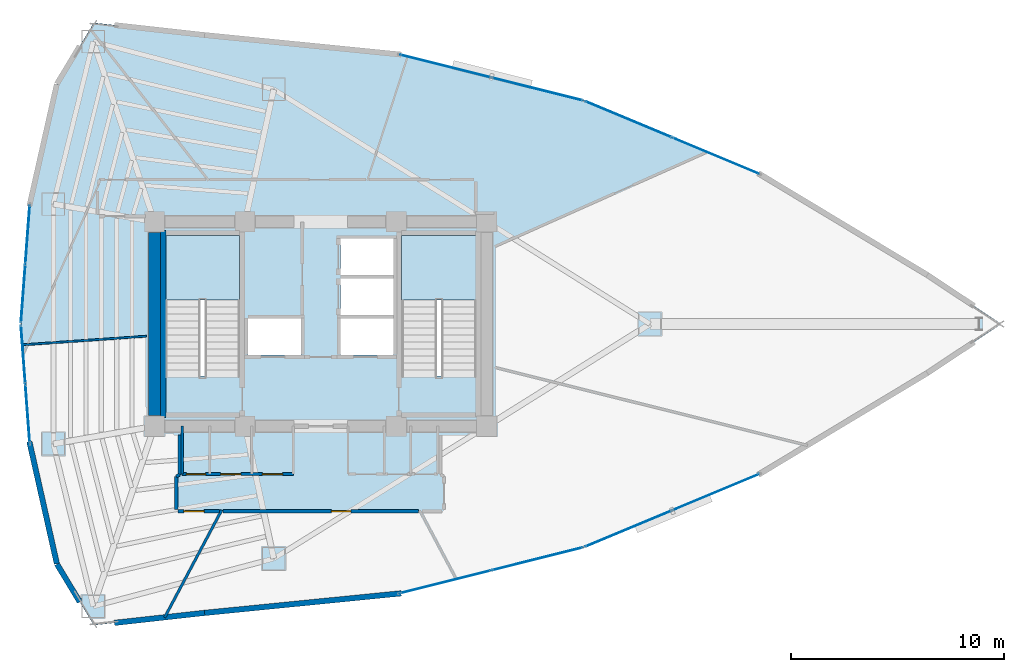
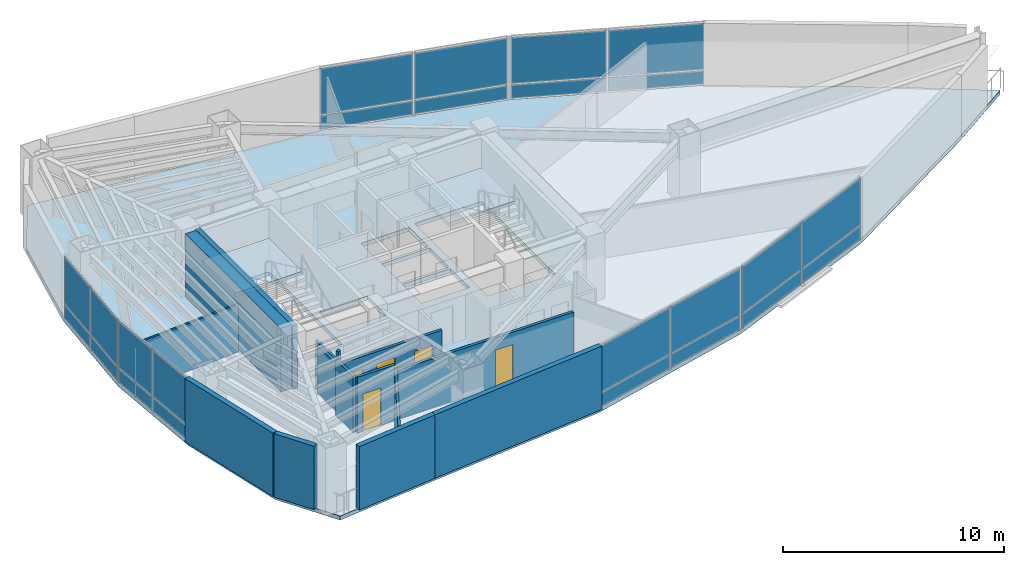
# One storey, part 13 of 18: 24 plates, 15 walls, 5 doors, 3 slabs, 5 openings, 8 elements without a shape of their own.
"""IFC4 building model written with IfcOpenShell, lengths in metres."""

from ifc_helpers import new_model, si_unit, direction, frame, frame_2d, origin, origin_2d, place, context, subcontext, project, spatial, polyline, rectangle, outline, extrude, material, layer, layer_set, type_object, element, fill, aggregate, save


model = new_model("IFC4")

# Units and contexts
model_context = context("Model", 3, precision=1e-05, world=origin(), true_north=direction((0.0, 1.0)))
body_context = subcontext(model_context, "Body", "Model", "MODEL_VIEW")
ifc_project = project(units=[si_unit("LENGTHUNIT", "METRE"), si_unit("AREAUNIT", "SQUARE_METRE"), si_unit("VOLUMEUNIT", "CUBIC_METRE"), si_unit("PLANEANGLEUNIT", "RADIAN"), si_unit("MASSUNIT", "GRAM", prefix="KILO")], contexts=[model_context])

# Site, building, storey
site_placement = place(None, origin())
site = spatial("IfcSite", under=ifc_project, at=site_placement, CompositionType="ELEMENT")
building_placement = place(site_placement, origin())
building = spatial("IfcBuilding", under=site, at=building_placement, Name="Menara Vayukalpa", CompositionType="ELEMENT")
storey_placement = place(building_placement, frame((0.0, 0.0, 165.47998046875)))
storey = spatial("IfcBuildingStorey", under=building, at=storey_placement, Name="L41", CompositionType="ELEMENT", Elevation=165.47998046875)

# Curtain wall, plates
ifc_material_1 = material(Name="Anodised Terracotta Aluminium Alloy 6063-T6", Category="masonry")
ifc_layer_1 = layer(ifc_material_1, 0.179931640625)
ifc_layer_set_1 = layer_set([ifc_layer_1], Name="Anodised Terracotta Aluminium Alloy 6063-T6")
curtain_wall_type = type_object("IfcCurtainWallType", Name="CW-CW4", PredefinedType="USERDEFINED", material=ifc_layer_set_1)
curtain_wall_1_placement = place(storey_placement, origin())
curtain_wall_1 = element("IfcCurtainWall", 1, at=curtain_wall_1_placement, inside=storey, type_object=curtain_wall_type, Name="L41 Sky Bar Cantilever Glazed Curtain Wall CW4 04", ObjectType="UNITISED", PredefinedType="USERDEFINED")
ifc_material_2 = material(Name="Low-E Double Glazing", Category="glass")
ifc_layer_2 = layer(ifc_material_2, 0.0380859375)
ifc_layer_set_2 = layer_set([ifc_layer_2], Name="Low-E Double Glazing")
plate_type = type_object("IfcPlateType", Name="CWP-CW4", PredefinedType="CURTAIN_PANEL", material=ifc_layer_set_2)
plate_1_placement = place(storey_placement, frame((44.1494140625, 29.8955078125, 0.070068359375), z_axis=(0.0, 0.0, 1.0), x_axis=(-0.922878459104, 0.385091352437, 0.0)))
plate_1 = element("IfcPlate", 2, at=plate_1_placement, type_object=plate_type, Name="CW4 panel 1.1", PredefinedType="CURTAIN_PANEL", context=body_context, shape_type="SweptSolid", body=[
    extrude(rectangle(XDim=4.369873046875, YDim=0.0380859375, at=origin_2d()), origin(), (0.0, 0.0, 1.0), 0.7451171875),
])
plate_2_placement = place(storey_placement, frame((44.1494140625, 29.8955078125, 0.885009765625), z_axis=(0.0, 0.0, 1.0), x_axis=(-0.922878459104, 0.385091352437, 0.0)))
plate_2 = element("IfcPlate", 3, at=plate_2_placement, type_object=plate_type, Name="CW4 panel 1.2", PredefinedType="CURTAIN_PANEL", context=body_context, shape_type="SweptSolid", body=[
    extrude(rectangle(XDim=4.369873046875, YDim=0.0380859375, at=origin_2d()), origin(), (0.0, 0.0, 1.0), 2.544921875),
])
plate_3_placement = place(storey_placement, frame((40.04736328125, 31.607421875, 0.070068359375), z_axis=(0.0, 0.0, 1.0), x_axis=(-0.922878459104, 0.385091352437, 0.0)))
plate_3 = element("IfcPlate", 4, at=plate_3_placement, type_object=plate_type, Name="CW4 panel 2.1", PredefinedType="CURTAIN_PANEL", context=body_context, shape_type="SweptSolid", body=[
    extrude(rectangle(XDim=4.369873046875, YDim=0.0380859375, at=origin_2d()), origin(), (0.0, 0.0, 1.0), 0.7451171875),
])
plate_4_placement = place(storey_placement, frame((40.04736328125, 31.607421875, 0.885009765625), z_axis=(0.0, 0.0, 1.0), x_axis=(-0.922878459104, 0.385091352437, 0.0)))
plate_4 = element("IfcPlate", 5, at=plate_4_placement, type_object=plate_type, Name="CW4 panel 2.2", PredefinedType="CURTAIN_PANEL", context=body_context, shape_type="SweptSolid", body=[
    extrude(rectangle(XDim=4.369873046875, YDim=0.0380859375, at=origin_2d()), origin(), (0.0, 0.0, 1.0), 2.544921875),
])
aggregate(curtain_wall_1, [plate_1, plate_2, plate_3, plate_4])

curtain_wall_2_placement = place(storey_placement, origin())
curtain_wall_2 = element("IfcCurtainWall", 6, at=curtain_wall_2_placement, inside=storey, type_object=curtain_wall_type, Name="L41 Sky Bar Cantilever Glazed Curtain Wall CW4 05", ObjectType="UNITISED", PredefinedType="USERDEFINED")
plate_5_placement = place(storey_placement, frame((35.76953125, 33.027099609375, 0.070068359375), z_axis=(0.0, 0.0, 1.0), x_axis=(-0.969997975566, 0.243112993066, 0.0)))
plate_5 = element("IfcPlate", 7, at=plate_5_placement, type_object=plate_type, Name="CW4 panel 1.1", PredefinedType="CURTAIN_PANEL", context=body_context, shape_type="SweptSolid", body=[
    extrude(rectangle(XDim=4.369873046875, YDim=0.0380859375, at=origin_2d()), origin(), (0.0, 0.0, 1.0), 0.7451171875),
])
plate_6_placement = place(storey_placement, frame((35.76953125, 33.027099609375, 0.885009765625), z_axis=(0.0, 0.0, 1.0), x_axis=(-0.969997975566, 0.243112993066, 0.0)))
plate_6 = element("IfcPlate", 8, at=plate_6_placement, type_object=plate_type, Name="CW4 panel 1.2", PredefinedType="CURTAIN_PANEL", context=body_context, shape_type="SweptSolid", body=[
    extrude(rectangle(XDim=4.369873046875, YDim=0.0380859375, at=origin_2d()), origin(), (0.0, 0.0, 1.0), 2.544921875),
])
plate_7_placement = place(storey_placement, frame((31.4580078125, 34.107666015625, 0.070068359375), z_axis=(0.0, 0.0, 1.0), x_axis=(-0.969997975566, 0.243112993066, 0.0)))
plate_7 = element("IfcPlate", 9, at=plate_7_placement, type_object=plate_type, Name="CW4 panel 2.1", PredefinedType="CURTAIN_PANEL", context=body_context, shape_type="SweptSolid", body=[
    extrude(rectangle(XDim=4.369873046875, YDim=0.0380859375, at=origin_2d()), origin(), (0.0, 0.0, 1.0), 0.7451171875),
])
plate_8_placement = place(storey_placement, frame((31.4580078125, 34.107666015625, 0.885009765625), z_axis=(0.0, 0.0, 1.0), x_axis=(-0.969997975566, 0.243112993066, 0.0)))
plate_8 = element("IfcPlate", 10, at=plate_8_placement, type_object=plate_type, Name="CW4 panel 2.2", PredefinedType="CURTAIN_PANEL", context=body_context, shape_type="SweptSolid", body=[
    extrude(rectangle(XDim=4.369873046875, YDim=0.0380859375, at=origin_2d()), origin(), (0.0, 0.0, 1.0), 2.544921875),
])
aggregate(curtain_wall_2, [plate_5, plate_6, plate_7, plate_8])

curtain_wall_3_placement = place(storey_placement, origin())
curtain_wall_3 = element("IfcCurtainWall", 11, at=curtain_wall_3_placement, inside=storey, type_object=curtain_wall_type, Name="L41 Sky Bar Cantilever Glazed Curtain Wall CW4 10", ObjectType="UNITISED", PredefinedType="USERDEFINED")
plate_9_placement = place(storey_placement, frame((11.842041015625, 26.205078125, 0.070068359375), z_axis=(0.0, 0.0, 1.0), x_axis=(-0.074792589364, -0.997199111801, 0.0)))
plate_9 = element("IfcPlate", 12, at=plate_9_placement, type_object=plate_type, Name="CW4 panel 1.1", PredefinedType="CURTAIN_PANEL", context=body_context, shape_type="SweptSolid", body=[
    extrude(rectangle(XDim=2.71142578125, YDim=0.0380859375, at=origin_2d()), origin(), (0.0, 0.0, 1.0), 0.7451171875),
])
plate_10_placement = place(storey_placement, frame((11.842041015625, 26.205078125, 0.885009765625), z_axis=(0.0, 0.0, 1.0), x_axis=(-0.074792589364, -0.997199111801, 0.0)))
plate_10 = element("IfcPlate", 13, at=plate_10_placement, type_object=plate_type, Name="CW4 panel 1.2", PredefinedType="CURTAIN_PANEL", context=body_context, shape_type="SweptSolid", body=[
    extrude(rectangle(XDim=2.71142578125, YDim=0.0380859375, at=origin_2d()), origin(), (0.0, 0.0, 1.0), 2.544921875),
])
plate_11_placement = place(storey_placement, frame((11.6337890625, 23.4267578125, 0.070068359375), z_axis=(0.0, 0.0, 1.0), x_axis=(-0.074792589364, -0.997199111801, 0.0)))
plate_11 = element("IfcPlate", 14, at=plate_11_placement, type_object=plate_type, Name="CW4 panel 2.1", PredefinedType="CURTAIN_PANEL", context=body_context, shape_type="SweptSolid", body=[
    extrude(rectangle(XDim=2.71142578125, YDim=0.0380859375, at=origin_2d()), origin(), (0.0, 0.0, 1.0), 0.7451171875),
])
plate_12_placement = place(storey_placement, frame((11.6337890625, 23.4267578125, 0.885009765625), z_axis=(0.0, 0.0, 1.0), x_axis=(-0.074792589364, -0.997199111801, 0.0)))
plate_12 = element("IfcPlate", 15, at=plate_12_placement, type_object=plate_type, Name="CW4 panel 2.2", PredefinedType="CURTAIN_PANEL", context=body_context, shape_type="SweptSolid", body=[
    extrude(rectangle(XDim=2.71142578125, YDim=0.0380859375, at=origin_2d()), origin(), (0.0, 0.0, 1.0), 2.544921875),
])
aggregate(curtain_wall_3, [plate_9, plate_10, plate_11, plate_12])

curtain_wall_4_placement = place(storey_placement, origin())
curtain_wall_4 = element("IfcCurtainWall", 16, at=curtain_wall_4_placement, inside=storey, type_object=curtain_wall_type, Name="L41 Sky Bar Cantilever Glazed Curtain Wall CW4 11", ObjectType="UNITISED", PredefinedType="USERDEFINED")
plate_13_placement = place(storey_placement, frame((11.6337890625, 20.5732421875, 0.070068359375), z_axis=(0.0, 0.0, 1.0), x_axis=(0.074792589364, -0.997199111801, 0.0)))
plate_13 = element("IfcPlate", 17, at=plate_13_placement, type_object=plate_type, Name="CW4 panel 1.1", PredefinedType="CURTAIN_PANEL", context=body_context, shape_type="SweptSolid", body=[
    extrude(rectangle(XDim=2.71142578125, YDim=0.0380859375, at=origin_2d()), origin(), (0.0, 0.0, 1.0), 0.7451171875),
])
plate_14_placement = place(storey_placement, frame((11.6337890625, 20.5732421875, 0.885009765625), z_axis=(0.0, 0.0, 1.0), x_axis=(0.074792589364, -0.997199111801, 0.0)))
plate_14 = element("IfcPlate", 18, at=plate_14_placement, type_object=plate_type, Name="CW4 panel 1.2", PredefinedType="CURTAIN_PANEL", context=body_context, shape_type="SweptSolid", body=[
    extrude(rectangle(XDim=2.71142578125, YDim=0.0380859375, at=origin_2d()), origin(), (0.0, 0.0, 1.0), 2.544921875),
])
plate_15_placement = place(storey_placement, frame((11.842041015625, 17.794921875, 0.070068359375), z_axis=(0.0, 0.0, 1.0), x_axis=(0.074792589364, -0.997199111801, 0.0)))
plate_15 = element("IfcPlate", 19, at=plate_15_placement, type_object=plate_type, Name="CW4 panel 2.1", PredefinedType="CURTAIN_PANEL", context=body_context, shape_type="SweptSolid", body=[
    extrude(rectangle(XDim=2.71142578125, YDim=0.0380859375, at=origin_2d()), origin(), (0.0, 0.0, 1.0), 0.7451171875),
])
plate_16_placement = place(storey_placement, frame((11.842041015625, 17.794921875, 0.885009765625), z_axis=(0.0, 0.0, 1.0), x_axis=(0.074792589364, -0.997199111801, 0.0)))
plate_16 = element("IfcPlate", 20, at=plate_16_placement, type_object=plate_type, Name="CW4 panel 2.2", PredefinedType="CURTAIN_PANEL", context=body_context, shape_type="SweptSolid", body=[
    extrude(rectangle(XDim=2.71142578125, YDim=0.0380859375, at=origin_2d()), origin(), (0.0, 0.0, 1.0), 2.544921875),
])
aggregate(curtain_wall_4, [plate_13, plate_14, plate_15, plate_16])

curtain_wall_5_placement = place(storey_placement, origin())
curtain_wall_5 = element("IfcCurtainWall", 21, at=curtain_wall_5_placement, inside=storey, type_object=curtain_wall_type, Name="L41 Sky Bar Cantilever Glazed Curtain Wall CW4 16", ObjectType="UNITISED", PredefinedType="USERDEFINED")
plate_17_placement = place(storey_placement, frame((31.4580078125, 9.892333984375, 0.070068359375), z_axis=(0.0, 0.0, 1.0), x_axis=(0.969997975566, 0.243112993066, 0.0)))
plate_17 = element("IfcPlate", 22, at=plate_17_placement, type_object=plate_type, Name="CW4 panel 1.1", PredefinedType="CURTAIN_PANEL", context=body_context, shape_type="SweptSolid", body=[
    extrude(rectangle(XDim=4.369873046875, YDim=0.0380859375, at=origin_2d()), origin(), (0.0, 0.0, 1.0), 0.7451171875),
])
plate_18_placement = place(storey_placement, frame((31.4580078125, 9.892333984375, 0.885009765625), z_axis=(0.0, 0.0, 1.0), x_axis=(0.969997975566, 0.243112993066, 0.0)))
plate_18 = element("IfcPlate", 23, at=plate_18_placement, type_object=plate_type, Name="CW4 panel 1.2", PredefinedType="CURTAIN_PANEL", context=body_context, shape_type="SweptSolid", body=[
    extrude(rectangle(XDim=4.369873046875, YDim=0.0380859375, at=origin_2d()), origin(), (0.0, 0.0, 1.0), 2.544921875),
])
plate_19_placement = place(storey_placement, frame((35.76953125, 10.972900390625, 0.070068359375), z_axis=(0.0, 0.0, 1.0), x_axis=(0.969997975566, 0.243112993066, 0.0)))
plate_19 = element("IfcPlate", 24, at=plate_19_placement, type_object=plate_type, Name="CW4 panel 2.1", PredefinedType="CURTAIN_PANEL", context=body_context, shape_type="SweptSolid", body=[
    extrude(rectangle(XDim=4.369873046875, YDim=0.0380859375, at=origin_2d()), origin(), (0.0, 0.0, 1.0), 0.7451171875),
])
plate_20_placement = place(storey_placement, frame((35.76953125, 10.972900390625, 0.885009765625), z_axis=(0.0, 0.0, 1.0), x_axis=(0.969997975566, 0.243112993066, 0.0)))
plate_20 = element("IfcPlate", 25, at=plate_20_placement, type_object=plate_type, Name="CW4 panel 2.2", PredefinedType="CURTAIN_PANEL", context=body_context, shape_type="SweptSolid", body=[
    extrude(rectangle(XDim=4.369873046875, YDim=0.0380859375, at=origin_2d()), origin(), (0.0, 0.0, 1.0), 2.544921875),
])
aggregate(curtain_wall_5, [plate_17, plate_18, plate_19, plate_20])

curtain_wall_6_placement = place(storey_placement, origin())
curtain_wall_6 = element("IfcCurtainWall", 26, at=curtain_wall_6_placement, inside=storey, type_object=curtain_wall_type, Name="L41 Sky Bar Cantilever Glazed Curtain Wall CW4 17", ObjectType="UNITISED", PredefinedType="USERDEFINED")
plate_21_placement = place(storey_placement, frame((40.04736328125, 12.392578125, 0.070068359375), z_axis=(0.0, 0.0, 1.0), x_axis=(0.922878459104, 0.385091352437, 0.0)))
plate_21 = element("IfcPlate", 27, at=plate_21_placement, type_object=plate_type, Name="CW4 panel 1.1", PredefinedType="CURTAIN_PANEL", context=body_context, shape_type="SweptSolid", body=[
    extrude(rectangle(XDim=4.369873046875, YDim=0.0380859375, at=origin_2d()), origin(), (0.0, 0.0, 1.0), 0.7451171875),
])
plate_22_placement = place(storey_placement, frame((40.04736328125, 12.392578125, 0.885009765625), z_axis=(0.0, 0.0, 1.0), x_axis=(0.922878459104, 0.385091352437, 0.0)))
plate_22 = element("IfcPlate", 28, at=plate_22_placement, type_object=plate_type, Name="CW4 panel 1.2", PredefinedType="CURTAIN_PANEL", context=body_context, shape_type="SweptSolid", body=[
    extrude(rectangle(XDim=4.369873046875, YDim=0.0380859375, at=origin_2d()), origin(), (0.0, 0.0, 1.0), 2.544921875),
])
plate_23_placement = place(storey_placement, frame((44.1494140625, 14.1044921875, 0.070068359375), z_axis=(0.0, 0.0, 1.0), x_axis=(0.922878459104, 0.385091352437, 0.0)))
plate_23 = element("IfcPlate", 29, at=plate_23_placement, type_object=plate_type, Name="CW4 panel 2.1", PredefinedType="CURTAIN_PANEL", context=body_context, shape_type="SweptSolid", body=[
    extrude(rectangle(XDim=4.369873046875, YDim=0.0380859375, at=origin_2d()), origin(), (0.0, 0.0, 1.0), 0.7451171875),
])
plate_24_placement = place(storey_placement, frame((44.1494140625, 14.1044921875, 0.885009765625), z_axis=(0.0, 0.0, 1.0), x_axis=(0.922878459104, 0.385091352437, 0.0)))
plate_24 = element("IfcPlate", 30, at=plate_24_placement, type_object=plate_type, Name="CW4 panel 2.2", PredefinedType="CURTAIN_PANEL", context=body_context, shape_type="SweptSolid", body=[
    extrude(rectangle(XDim=4.369873046875, YDim=0.0380859375, at=origin_2d()), origin(), (0.0, 0.0, 1.0), 2.544921875),
])
aggregate(curtain_wall_6, [plate_21, plate_22, plate_23, plate_24])

# Slab
ifc_material_3 = material(Name="Concrete C40/50", Category="concrete")
ifc_layer_3 = layer(ifc_material_3, 0.219970703125)
ifc_layer_set_3 = layer_set([ifc_layer_3], Name="Concrete C40/50")
slab_type_1 = type_object("IfcSlabType", Name="SLB-FL220", PredefinedType="FLOOR", material=ifc_layer_set_3)
slab_1_placement = place(storey_placement, frame((0.0, 0.0, -0.219970703125)))
element("IfcSlab", 31, at=slab_1_placement, inside=storey, type_object=slab_type_1, Name="L41 Sky Bar Structural Floor Slab", PredefinedType="FLOOR", context=body_context, shape_type="SweptSolid", body=[
    extrude(outline(polyline([(54.086181640625, 19.69970703125), (57.552001953125, 22.0), (54.086181640625, 24.30029296875), (46.235107421875, 29.025390625), (37.961669921875, 32.4775390625), (29.265625, 34.656982421875), (20.1474609375, 35.56396484375), (14.948974609375, 36.13916015625), (13.21630859375, 33.263671875), (11.94921875, 27.6318359375), (11.526611328125, 22.0), (11.94921875, 16.3681640625), (13.21630859375, 10.736328125), (14.948974609375, 7.86083984375), (20.1474609375, 8.43603515625), (29.265625, 9.343017578125), (37.961669921875, 11.5224609375), (46.235107421875, 14.974609375), (54.086181640625, 19.69970703125)]), holes=[polyline([(21.800048828125, 19.550048828125), (21.800048828125, 26.14990234375), (18.300048828125, 26.14990234375), (18.300048828125, 19.550048828125), (21.800048828125, 19.550048828125)]), polyline([(32.89990234375, 19.550048828125), (32.89990234375, 26.14990234375), (29.39990234375, 26.14990234375), (29.39990234375, 19.550048828125), (32.89990234375, 19.550048828125)]), polyline([(22.179931640625, 20.550048828125), (24.679931640625, 20.550048828125), (24.679931640625, 22.27001953125), (22.179931640625, 22.27001953125), (22.179931640625, 20.550048828125)]), polyline([(26.52001953125, 20.550048828125), (29.02001953125, 20.550048828125), (29.02001953125, 22.27001953125), (26.52001953125, 22.27001953125), (26.52001953125, 20.550048828125)]), polyline([(26.52001953125, 24.2900390625), (29.02001953125, 24.2900390625), (29.02001953125, 26.010009765625), (26.52001953125, 26.010009765625), (26.52001953125, 24.2900390625)]), polyline([(26.52001953125, 22.419921875), (29.02001953125, 22.419921875), (29.02001953125, 24.139892578125), (26.52001953125, 24.139892578125), (26.52001953125, 22.419921875)])]), origin(), (0.0, 0.0, 1.0), 0.219970703125),
])

# Stair, slab
ifc_material_4 = material(Name="Precast Concrete C40/50", Category="concrete")
stair_type = type_object("IfcStairType", Name="STR-T04", PredefinedType="DOUBLE_RETURN_STAIR", material=ifc_material_4)
stair_1_placement = place(storey_placement, origin())
stair_1 = element("IfcStair", 32, at=stair_1_placement, inside=storey, type_object=stair_type, Name="L41 Core Exit Stair ST-1", PredefinedType="DOUBLE_RETURN_STAIR")
ifc_material_5 = material(Name="Precast Concrete C40/50", Category="concrete")
ifc_layer_4 = layer(ifc_material_5, 0.199951171875)
ifc_layer_set_4 = layer_set([ifc_layer_4], Name="Precast Concrete C40/50")
slab_type_2 = type_object("IfcSlabType", Name="SLB-LND200", PredefinedType="LANDING", material=ifc_layer_set_4)
slab_2_placement = place(storey_placement, frame((0.0, 0.0, 1.659912109375)))
slab_2 = element("IfcSlab", 33, at=slab_2_placement, type_object=slab_type_2, Name="ST-1 landing 1", PredefinedType="LANDING", context=body_context, shape_type="SweptSolid", body=[
    extrude(outline(polyline([(21.800048828125, 23.1298828125), (21.800048828125, 26.14990234375), (18.300048828125, 26.14990234375), (18.300048828125, 23.1298828125), (21.800048828125, 23.1298828125)])), origin(), (0.0, 0.0, 1.0), 0.2001953125),
])
aggregate(stair_1, [slab_2])

stair_2_placement = place(storey_placement, origin())
stair_2 = element("IfcStair", 34, at=stair_2_placement, inside=storey, type_object=stair_type, Name="L41 Core Exit Stair ST-2", PredefinedType="DOUBLE_RETURN_STAIR")
slab_3_placement = place(storey_placement, frame((0.0, 0.0, 1.659912109375)))
slab_3 = element("IfcSlab", 35, at=slab_3_placement, type_object=slab_type_2, Name="ST-2 landing 1", PredefinedType="LANDING", context=body_context, shape_type="SweptSolid", body=[
    extrude(outline(polyline([(32.89990234375, 23.1298828125), (32.89990234375, 26.14990234375), (29.39990234375, 26.14990234375), (29.39990234375, 23.1298828125), (32.89990234375, 23.1298828125)])), origin(), (0.0, 0.0, 1.0), 0.2001953125),
])
aggregate(stair_2, [slab_3])

# Walls
ifc_material_6 = material(Name="Concrete C60/75", Category="concrete")
ifc_layer_5 = layer(ifc_material_6, 0.550048828125)
ifc_layer_set_5 = layer_set([ifc_layer_5], Name="Concrete C60/75")
wall_type_1 = type_object("IfcWallType", Name="WAL-CW550", PredefinedType="SHEAR", material=ifc_layer_set_5)
wall_1_placement = place(storey_placement, frame((17.800048828125, 17.695068359375, 0.0), z_axis=(0.0, 0.0, 1.0), x_axis=(0.0, 1.0, 0.0)))
element("IfcWall", 36, at=wall_1_placement, inside=storey, type_object=wall_type_1, Name="L41 Buttressed Core Shear Wall CWW1", PredefinedType="SHEAR", context=body_context, shape_type="SweptSolid", body=[
    extrude(rectangle(XDim=8.60986328125, YDim=0.550048828125, at=frame_2d((4.304931640625, 0.0))), origin(), (0.0, 0.0, 1.0), 3.5),
])
ifc_material_7 = material(Name="Insulated Precast Concrete C40/50", Category="concrete")
ifc_layer_6 = layer(ifc_material_7, 0.260009765625)
ifc_layer_set_6 = layer_set([ifc_layer_6], Name="Insulated Precast Concrete C40/50")
wall_type_2 = type_object("IfcWallType", Name="WAL-EXT260", PredefinedType="PARTITIONING", material=ifc_layer_set_6)
wall_2_placement = place(storey_placement, frame((13.214111328125, 10.745849609375, 0.0), z_axis=(0.0, 0.0, 1.0), x_axis=(-0.219491422264, 0.975614429758, 0.0)))
element("IfcWall", 37, at=wall_2_placement, inside=storey, type_object=wall_type_2, Name="L41 Perimeter Terracotta Pier Wall 12", PredefinedType="PARTITIONING", context=body_context, shape_type="SweptSolid", body=[
    extrude(rectangle(XDim=5.873046875, YDim=0.260009765625, at=frame_2d((2.9365234375, 0.0))), origin(), (0.0, 0.0, 1.0), 3.5),
])
wall_3_placement = place(storey_placement, frame((14.291259765625, 8.9521484375, 0.0), z_axis=(0.0, 0.0, 1.0), x_axis=(-0.516157331647, 0.856493788061, 0.0)))
element("IfcWall", 38, at=wall_3_placement, inside=storey, type_object=wall_type_2, Name="L41 Perimeter Terracotta Pier Wall 13", PredefinedType="PARTITIONING", context=body_context, shape_type="SweptSolid", body=[
    extrude(rectangle(XDim=2.0732421875, YDim=0.260009765625, at=frame_2d((1.03662109375, 0.0))), origin(), (0.0, 0.0, 1.0), 3.5),
])
wall_4_placement = place(storey_placement, frame((20.1533203125, 8.436767578125, 0.0), z_axis=(0.0, 0.0, 1.0), x_axis=(-0.993933978819, -0.109978387641, 0.0)))
element("IfcWall", 39, at=wall_4_placement, inside=storey, type_object=wall_type_2, Name="L41 Perimeter Terracotta Pier Wall 14", PredefinedType="PARTITIONING", context=body_context, shape_type="SweptSolid", body=[
    extrude(rectangle(XDim=4.2578125, YDim=0.260009765625, at=frame_2d((2.12890625, 0.0))), origin(), (0.0, 0.0, 1.0), 3.5),
])
wall_5_placement = place(storey_placement, frame((29.375244140625, 9.353759765625, 0.0), z_axis=(0.0, 0.0, 1.0), x_axis=(-0.9950896707, -0.098977508888, 0.0)))
element("IfcWall", 40, at=wall_5_placement, inside=storey, type_object=wall_type_2, Name="L41 Perimeter Terracotta Pier Wall 15", PredefinedType="PARTITIONING", context=body_context, shape_type="SweptSolid", body=[
    extrude(rectangle(XDim=9.279541015625, YDim=0.260009765625, at=frame_2d((4.6396484375, 0.0))), origin(), (0.0, 0.0, 1.0), 3.5),
])
ifc_material_8 = material(Name="Glazed Demountable Office Partition", Category="glass")
ifc_layer_7 = layer(ifc_material_8, 0.094970703125)
ifc_layer_set_7 = layer_set([ifc_layer_7], Name="Glazed Demountable Office Partition")
wall_type_3 = type_object("IfcWallType", Name="WAL-PT100", PredefinedType="PARTITIONING", material=ifc_layer_set_7)
wall_6_placement = place(storey_placement, frame((17.429931640625, 21.4287109375, 0.0), z_axis=(0.0, 0.0, 1.0), x_axis=(-0.997563032527, -0.069771026481, 0.0)))
element("IfcWall", 41, at=wall_6_placement, inside=storey, type_object=wall_type_3, Name="L41 Interior Partition IW-L41-RDIV04", PredefinedType="PARTITIONING", context=body_context, shape_type="SweptSolid", body=[
    extrude(rectangle(XDim=5.85400390625, YDim=0.094970703125, at=frame_2d((2.927001953125, 0.0))), origin(), (0.0, 0.0, 1.0), 2.630126953125),
])
ifc_material_9 = material(Name="Gypsum Drywall Steel Stud Assembly", Category="steel")
ifc_layer_8 = layer(ifc_material_9, 0.125)
ifc_layer_set_8 = layer_set([ifc_layer_8], Name="Gypsum Drywall Steel Stud Assembly")
wall_type_4 = type_object("IfcWallType", Name="WAL-PT125", PredefinedType="PARTITIONING", material=ifc_layer_set_8)
wall_7_placement = place(storey_placement, frame((19.10009765625, 14.949951171875, 0.0), z_axis=(0.0, 0.0, 1.0), x_axis=(0.0, 1.0, 0.0)))
element("IfcWall", 42, at=wall_7_placement, inside=storey, type_object=wall_type_4, Name="L41 Interior Partition IW-L41-SVCD-01", PredefinedType="PARTITIONING", context=body_context, shape_type="SweptSolid", body=[
    extrude(rectangle(XDim=2.25, YDim=0.125, at=frame_2d((1.125, 0.0))), origin(), (0.0, 0.0, 1.0), 2.630126953125),
])
wall_8_placement = place(storey_placement, frame((20.952880859375, 13.260009765625, 0.0), z_axis=(0.0, 0.0, 1.0), x_axis=(-0.469478237377, -0.882944043883, 0.0)))
element("IfcWall", 43, at=wall_8_placement, inside=storey, type_object=wall_type_4, Name="L41 Interior Partition IW-L41-RDIV05", PredefinedType="PARTITIONING", context=body_context, shape_type="SweptSolid", body=[
    extrude(rectangle(XDim=5.7099609375, YDim=0.125, at=frame_2d((2.85498046875, 0.0))), origin(), (0.0, 0.0, 1.0), 2.929931640625),
])

# Wall, openings, doors
ifc_material_10 = material(Name="Gypsum Drywall Acoustic Stud Assembly", Category="masonry")
ifc_layer_9 = layer(ifc_material_10, 0.14501953125)
ifc_layer_set_9 = layer_set([ifc_layer_9], Name="Gypsum Drywall Acoustic Stud Assembly")
wall_type_5 = type_object("IfcWallType", Name="WAL-PT150", PredefinedType="PARTITIONING", material=ifc_layer_set_9)
wall_9_placement = place(storey_placement, frame((19.10009765625, 14.949951171875, 0.0), z_axis=(0.0, 0.0, 1.0), x_axis=(1.0, 0.0, 0.0)))
wall_9 = element("IfcWall", 44, at=wall_9_placement, inside=storey, type_object=wall_type_5, Name="L41 Interior Partition IW-L41-SVCS-W", PredefinedType="PARTITIONING", context=body_context, shape_type="SweptSolid", body=[
    extrude(rectangle(XDim=5.219970703125, YDim=0.14501953125, at=frame_2d((2.60986328125, 0.0))), origin(), (0.0, 0.0, 1.0), 2.72998046875),
])
opening_1_placement = place(wall_9_placement, frame((0.199951171875, 0.0, 0.0)))
opening_1 = element("IfcOpeningElement", 45, at=opening_1_placement, cuts=wall_9, Name="Opening ID7", PredefinedType="OPENING", context=body_context, shape_type="SweptSolid", body=[
    extrude(rectangle(XDim=0.89990234375, YDim=2.02001953125, at=frame_2d((0.449951171875, 1.010009765625))), frame((0.0, 0.08251953125, 0.0), z_axis=(0.0, -1.0, 0.0), x_axis=(1.0, 0.0, 0.0)), (0.0, 0.0, 1.0), 0.1650390625),
])
opening_2_placement = place(wall_9_placement, frame((1.804931640625, 0.0, 0.0)))
opening_2 = element("IfcOpeningElement", 46, at=opening_2_placement, cuts=wall_9, Name="Opening ID5", PredefinedType="OPENING", context=body_context, shape_type="SweptSolid", body=[
    extrude(rectangle(XDim=0.949951171875, YDim=2.06005859375, at=frame_2d((0.47509765625, 1.030029296875))), frame((0.0, 0.08251953125, 0.0), z_axis=(0.0, -1.0, 0.0), x_axis=(1.0, 0.0, 0.0)), (0.0, 0.0, 1.0), 0.1650390625),
])
opening_3_placement = place(wall_9_placement, frame((3.764892578125, 0.0, 0.0)))
opening_3 = element("IfcOpeningElement", 47, at=opening_3_placement, cuts=wall_9, Name="Opening ID5", PredefinedType="OPENING", context=body_context, shape_type="SweptSolid", body=[
    extrude(rectangle(XDim=0.949951171875, YDim=2.06005859375, at=frame_2d((0.47509765625, 1.030029296875))), frame((0.0, 0.08251953125, 0.0), z_axis=(0.0, -1.0, 0.0), x_axis=(1.0, 0.0, 0.0)), (0.0, 0.0, 1.0), 0.1650390625),
])
ifc_material_11 = material(Name="Acoustic Hardwood Veneer Timber Door", Category="wood")
door_type_1 = type_object("IfcDoorType", Name="DR-INT95", OperationType="NOTDEFINED", PredefinedType="DOOR", material=ifc_material_11)
door_1_placement = place(opening_2_placement, origin())
door_1 = element("IfcDoor", 48, at=door_1_placement, inside=storey, type_object=door_type_1, Name="L41 Interior Door DR-L41-AWC", OperationType="SINGLE_SWING_RIGHT", OverallHeight=2.06005859375, OverallWidth=0.949951171875, PredefinedType="DOOR", context=body_context, shape_type="SweptSolid", body=[
    extrude(rectangle(XDim=0.949951171875, YDim=2.06005859375, at=frame_2d((0.47509765625, 1.030029296875))), frame((0.0, 0.02490234375, 0.0), z_axis=(0.0, -1.0, 0.0), x_axis=(1.0, 0.0, 0.0)), (0.0, 0.0, 1.0), 0.050048828125),
])
fill(opening_2, door_1)
door_2_placement = place(opening_3_placement, origin())
door_2 = element("IfcDoor", 49, at=door_2_placement, inside=storey, type_object=door_type_1, Name="L41 Interior Door DR-L41-SWC", OperationType="SINGLE_SWING_LEFT", OverallHeight=2.06005859375, OverallWidth=0.949951171875, PredefinedType="DOOR", context=body_context, shape_type="SweptSolid", body=[
    extrude(rectangle(XDim=0.949951171875, YDim=2.06005859375, at=frame_2d((0.47509765625, 1.030029296875))), frame((0.0, 0.02490234375, 0.0), z_axis=(0.0, -1.0, 0.0), x_axis=(1.0, 0.0, 0.0)), (0.0, 0.0, 1.0), 0.050048828125),
])
fill(opening_3, door_2)
ifc_material_12 = material(Name="Powder-Coated Steel Riser Access Door", Category="steel")
door_type_2 = type_object("IfcDoorType", Name="DR-RISER", OperationType="NOTDEFINED", PredefinedType="DOOR", material=ifc_material_12)
door_3_placement = place(opening_1_placement, origin())
door_3 = element("IfcDoor", 50, at=door_3_placement, inside=storey, type_object=door_type_2, Name="L41 Interior Door DR-L41-ELR", OperationType="SINGLE_SWING_LEFT", OverallHeight=2.02001953125, OverallWidth=0.89990234375, PredefinedType="DOOR", context=body_context, shape_type="SweptSolid", body=[
    extrude(rectangle(XDim=0.89990234375, YDim=2.02001953125, at=frame_2d((0.449951171875, 1.010009765625))), frame((0.0, 0.02490234375, 0.0), z_axis=(0.0, -1.0, 0.0), x_axis=(1.0, 0.0, 0.0)), (0.0, 0.0, 1.0), 0.050048828125),
])
fill(opening_1, door_3)

# Walls
wall_10_placement = place(storey_placement, frame((18.97998046875, 16.780029296875, 0.0), z_axis=(0.0, 0.0, 1.0), x_axis=(0.0, -1.0, 0.0)))
element("IfcWall", 51, at=wall_10_placement, inside=storey, type_object=wall_type_5, Name="L41 Interior Partition IW-L41-CRM01-1", PredefinedType="PARTITIONING", context=body_context, shape_type="SweptSolid", body=[
    extrude(rectangle(XDim=1.85009765625, YDim=0.14501953125, at=frame_2d((0.925048828125, 0.0))), origin(), (0.0, 0.0, 1.0), 2.630126953125),
])
wall_11_placement = place(storey_placement, frame((18.820068359375, 14.85009765625, 0.0), z_axis=(0.0, 0.0, 1.0), x_axis=(0.0, -1.0, 0.0)))
element("IfcWall", 52, at=wall_11_placement, inside=storey, type_object=wall_type_5, Name="L41 Interior Partition IW-L41-CRM01-2", PredefinedType="PARTITIONING", context=body_context, shape_type="SweptSolid", body=[
    extrude(rectangle(XDim=1.56005859375, YDim=0.14501953125, at=frame_2d((0.780029296875, 0.0))), origin(), (0.0, 0.0, 1.0), 3.080078125),
])

# Wall, opening, door
wall_12_placement = place(storey_placement, frame((18.89990234375, 13.2099609375, 0.0), z_axis=(0.0, 0.0, 1.0), x_axis=(1.0, 0.0, 0.0)))
wall_12 = element("IfcWall", 53, at=wall_12_placement, inside=storey, type_object=wall_type_5, Name="L41 Interior Partition IW-L41-CRM01-3", PredefinedType="PARTITIONING", context=body_context, shape_type="SweptSolid", body=[
    extrude(rectangle(XDim=1.947021484375, YDim=0.14501953125, at=frame_2d((0.9736328125, 0.0))), origin(), (0.0, 0.0, 1.0), 3.080078125),
])
opening_4_placement = place(wall_12_placement, frame((0.280029296875, 0.0, 0.0)))
opening_4 = element("IfcOpeningElement", 54, at=opening_4_placement, cuts=wall_12, Name="Opening ID5", PredefinedType="OPENING", context=body_context, shape_type="SweptSolid", body=[
    extrude(rectangle(XDim=0.949951171875, YDim=2.06005859375, at=frame_2d((0.47509765625, 1.030029296875))), frame((0.0, 0.08251953125, 0.0), z_axis=(0.0, -1.0, 0.0), x_axis=(1.0, 0.0, 0.0)), (0.0, 0.0, 1.0), 0.1650390625),
])
door_4_placement = place(opening_4_placement, origin())
door_4 = element("IfcDoor", 55, at=door_4_placement, inside=storey, type_object=door_type_1, Name="L41 Interior Door DR-L41-RM01", OperationType="SINGLE_SWING_LEFT", OverallHeight=2.06005859375, OverallWidth=0.949951171875, PredefinedType="DOOR", context=body_context, shape_type="SweptSolid", body=[
    extrude(rectangle(XDim=0.949951171875, YDim=2.06005859375, at=frame_2d((0.47509765625, 1.030029296875))), frame((0.0, 0.02490234375, 0.0), z_axis=(0.0, -1.0, 0.0), x_axis=(1.0, 0.0, 0.0)), (0.0, 0.0, 1.0), 0.050048828125),
])
fill(opening_4, door_4)

wall_13_placement = place(storey_placement, frame((21.005615234375, 13.2099609375, 0.0), z_axis=(0.0, 0.0, 1.0), x_axis=(1.0, 0.0, 0.0)))
wall_13 = element("IfcWall", 56, at=wall_13_placement, inside=storey, type_object=wall_type_5, Name="L41 Interior Partition IW-L41-CRM02-1", PredefinedType="PARTITIONING", context=body_context, shape_type="SweptSolid", body=[
    extrude(rectangle(XDim=9.188720703125, YDim=0.14501953125, at=frame_2d((4.59423828125, 0.0))), origin(), (0.0, 0.0, 1.0), 2.72998046875),
])
opening_5_placement = place(wall_13_placement, frame((5.097900390625, 0.0, 0.0)))
opening_5 = element("IfcOpeningElement", 57, at=opening_5_placement, cuts=wall_13, Name="Opening ID6", PredefinedType="OPENING", context=body_context, shape_type="SweptSolid", body=[
    extrude(rectangle(XDim=0.919921875, YDim=2.050048828125, at=frame_2d((0.4599609375, 1.02490234375))), frame((0.0, 0.08251953125, 0.0), z_axis=(0.0, -1.0, 0.0), x_axis=(1.0, 0.0, 0.0)), (0.0, 0.0, 1.0), 0.1650390625),
])
ifc_material_13 = material(Name="Acoustic Hardwood Veneer Timber Door", Category="wood")
door_type_3 = type_object("IfcDoorType", Name="DR-INT92", OperationType="NOTDEFINED", PredefinedType="DOOR", material=ifc_material_13)
door_5_placement = place(opening_5_placement, origin())
door_5 = element("IfcDoor", 58, at=door_5_placement, inside=storey, type_object=door_type_3, Name="L41 Interior Door DR-L41-RM02", OperationType="SINGLE_SWING_RIGHT", OverallHeight=2.050048828125, OverallWidth=0.919921875, PredefinedType="DOOR", context=body_context, shape_type="SweptSolid", body=[
    extrude(rectangle(XDim=0.919921875, YDim=2.050048828125, at=frame_2d((0.4599609375, 1.02490234375))), frame((0.0, 0.02490234375, 0.0), z_axis=(0.0, -1.0, 0.0), x_axis=(1.0, 0.0, 0.0)), (0.0, 0.0, 1.0), 0.050048828125),
])
fill(opening_5, door_5)

# Walls
wall_14_placement = place(storey_placement, frame((18.820068359375, 14.85009765625, 0.0), z_axis=(0.0, 0.0, 1.0), x_axis=(0.89470021502, 0.446667130247, 0.0)))
element("IfcWall", 59, at=wall_14_placement, inside=storey, type_object=wall_type_5, Name="L41 Interior Partition IW-L41-CRM01-2-R0", PredefinedType="PARTITIONING", context=body_context, shape_type="SweptSolid", body=[
    extrude(rectangle(XDim=0.1787109375, YDim=0.14501953125, at=frame_2d((0.08935546875, 0.0))), origin(), (0.0, 0.0, 1.0), 3.5),
])
ifc_material_14 = material(Name="Concrete C50/60", Category="concrete")
ifc_layer_10 = layer(ifc_material_14, 0.25)
ifc_layer_set_10 = layer_set([ifc_layer_10], Name="Concrete C50/60")
wall_type_6 = type_object("IfcWallType", Name="WAL-SW250", PredefinedType="SHEAR", material=ifc_layer_set_10)
wall_15_placement = place(storey_placement, frame((18.2041015625, 17.60009765625, 0.0), z_axis=(0.0, 0.0, 1.0), x_axis=(0.0, 1.0, 0.0)))
element("IfcWall", 60, at=wall_15_placement, inside=storey, type_object=wall_type_6, Name="L41 ST1 Structural Stair Shaft Wall W", PredefinedType="SHEAR", context=body_context, shape_type="SweptSolid", body=[
    extrude(rectangle(XDim=8.7998046875, YDim=0.25, at=frame_2d((4.39990234375, 0.0))), origin(), (0.0, 0.0, 1.0), 3.5),
])

save(model, "model.ifc")
